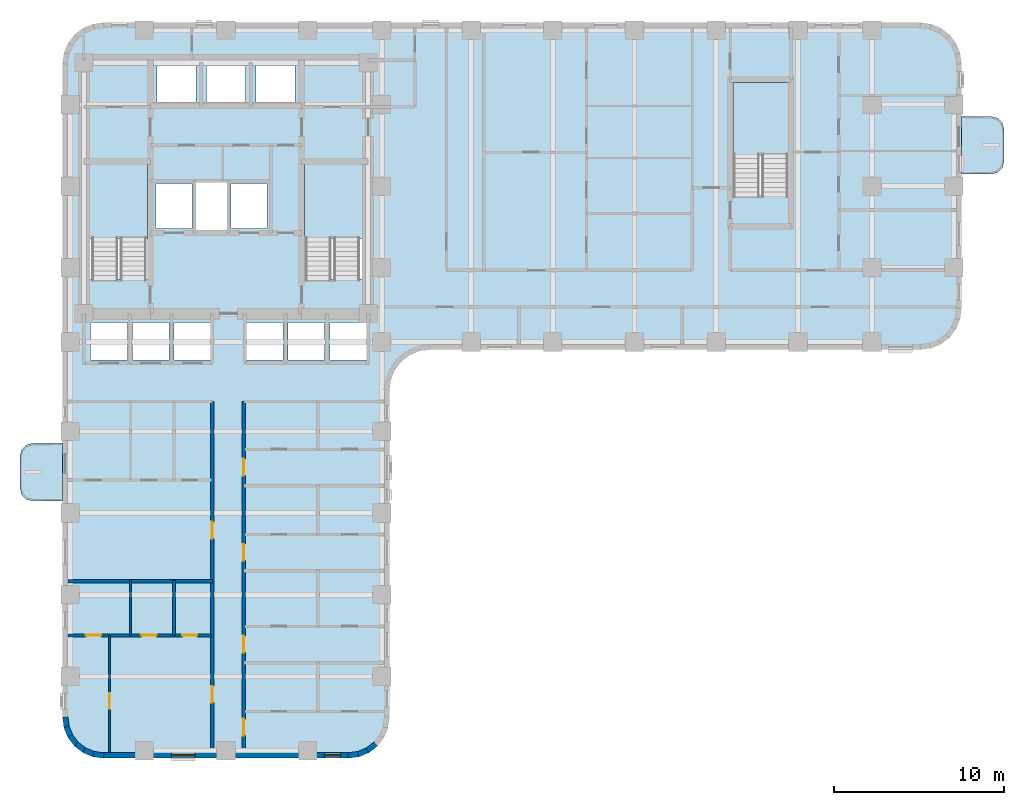
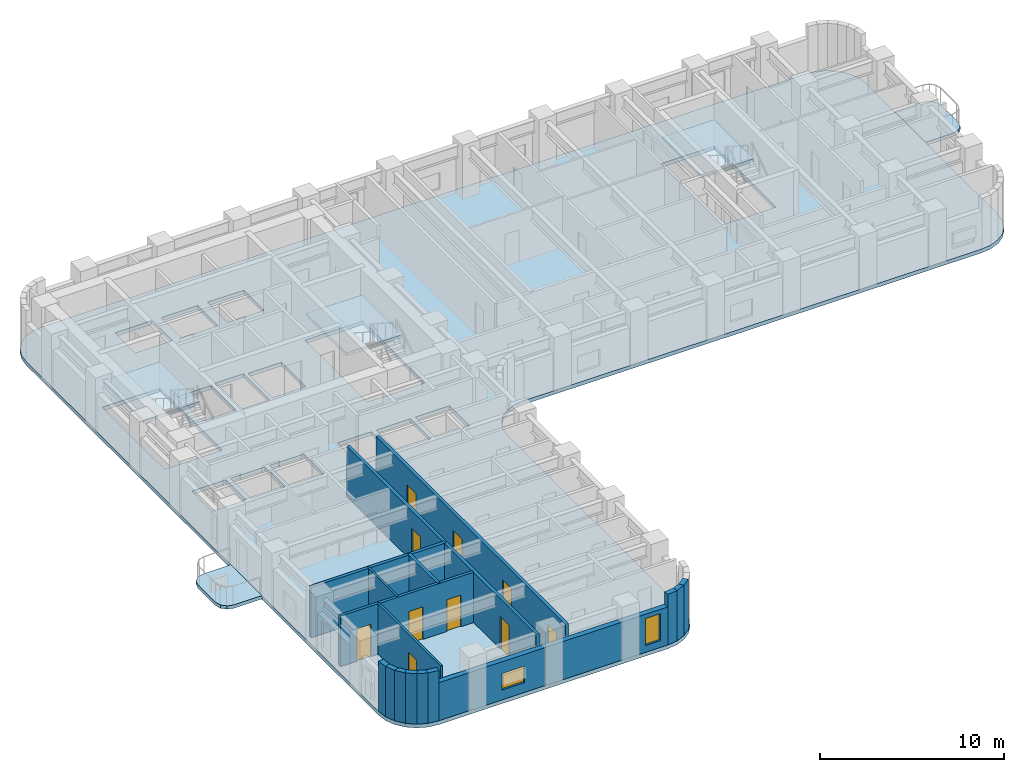
# One storey, part 2 of 11: 17 walls, 10 doors, 6 slabs, 2 windows, 12 openings, 3 elements without a shape of their own.
"""IFC4 building model written with IfcOpenShell, lengths in metres."""

import ifcopenshell
import ifcopenshell.guid

model = None  # the IFC model being written
_history = None  # IfcOwnerHistory: only IFC2X3 demands one
_inside = {}  # id of a spatial element -> (the spatial element, [elements in it])
_under = {}  # id of a project, library or spatial element -> (it, [spatial elements below it])
_declared = {}  # id of a project -> (the project, [libraries it declares])
_typed = {}  # id of a type object -> (the type object, [elements of that type])
_made_of = {}  # id of a material, layer set ... -> (it, [elements and type objects made of it])


def new_model(schema):
    """Start an empty IFC model of exactly this schema.

    Asked for "IFC4X3", IfcOpenShell would pick the latest addendum, in which some entities
    have other attributes; the version numbers below select the first issue.
    IFC2X3 requires an IfcOwnerHistory on every rooted entity: one is made here for all.
    """
    global model, _history
    if schema == "IFC4X3":
        model = ifcopenshell.file(schema_version=(4, 3, 0, 0))
    else:
        model = ifcopenshell.file(schema=schema)
    _inside.clear()
    _under.clear()
    _declared.clear()
    _typed.clear()
    _made_of.clear()
    _history = None
    if model.schema == "IFC2X3":
        org = make("IfcOrganization", Name="unknown")
        user = make(
            "IfcPersonAndOrganization",
            ThePerson=make("IfcPerson", FamilyName="unknown"),
            TheOrganization=org,
        )
        app = make(
            "IfcApplication",
            ApplicationDeveloper=org,
            Version="unknown",
            ApplicationFullName="unknown",
            ApplicationIdentifier="unknown",
        )
        _history = make(
            "IfcOwnerHistory",
            OwningUser=user,
            OwningApplication=app,
            ChangeAction="ADDED",
            CreationDate=0,
        )
    return model


def make(cls, **values):
    """One entity of the class cls with the attributes given. An attribute that is None is left unset."""
    return model.create_entity(
        cls, **{name: value for name, value in values.items() if value is not None}
    )


def rooted(cls, **values):
    """An entity with a GlobalId (a new one), such as an element, a storey or a relation."""
    return make(cls, GlobalId=ifcopenshell.guid.new(), OwnerHistory=_history, **values)


def si_unit(unit_type, name, prefix=None):
    """IfcSIUnit, for example si_unit("LENGTHUNIT", "METRE", prefix="MILLI")."""
    return make("IfcSIUnit", UnitType=unit_type, Prefix=prefix, Name=name)


def assignment(units):
    """IfcUnitAssignment: the units of a project."""
    return None if units is None else make("IfcUnitAssignment", Units=units)


def point(xyz):
    """IfcCartesianPoint."""
    return None if xyz is None else make("IfcCartesianPoint", Coordinates=xyz)


def direction(xyz):
    """IfcDirection."""
    return None if xyz is None else make("IfcDirection", DirectionRatios=xyz)


def frame(location, z_axis=None, x_axis=None):
    """IfcAxis2Placement3D, a coordinate frame: its origin and axes. An axis left out is left unset."""
    return make(
        "IfcAxis2Placement3D",
        Location=point(location),
        Axis=direction(z_axis),
        RefDirection=direction(x_axis),
    )


def frame_2d(location, x_axis=None):
    """IfcAxis2Placement2D, a coordinate frame in the plane: its origin and x axis."""
    return make(
        "IfcAxis2Placement2D", Location=point(location), RefDirection=direction(x_axis)
    )


def origin():
    """The frame at (0, 0, 0) with its axes left unset."""
    return frame((0.0, 0.0, 0.0))


def place(relative_to, where):
    """IfcLocalPlacement: puts the frame where relative to a parent placement (None: the world)."""
    return make(
        "IfcLocalPlacement", PlacementRelTo=relative_to, RelativePlacement=where
    )


def context(
    kind, dimensions, precision=None, world=None, true_north=None, identifier=None
):
    """IfcGeometricRepresentationContext, for example the 3D "Model" context."""
    return make(
        "IfcGeometricRepresentationContext",
        ContextIdentifier=identifier,
        ContextType=kind,
        CoordinateSpaceDimension=dimensions,
        Precision=precision,
        WorldCoordinateSystem=world,
        TrueNorth=true_north,
    )


def subcontext(parent, identifier, kind, view, scale=None):
    """IfcGeometricRepresentationSubContext, for example "Body" below "Model"."""
    return make(
        "IfcGeometricRepresentationSubContext",
        ContextIdentifier=identifier,
        ContextType=kind,
        ParentContext=parent,
        TargetScale=scale,
        TargetView=view,
    )


def project(units=None, contexts=None):
    """IfcProject with its units and contexts."""
    return rooted(
        "IfcProject",
        Name="project",
        RepresentationContexts=contexts,
        UnitsInContext=assignment(units),
    )


def spatial(cls, under=None, at=None, **own):
    """A site, building, storey or space (cls), placed at a placement, below another one or the project."""
    s = rooted(cls, ObjectPlacement=at, **own)
    if under is not None:
        _under.setdefault(under.id(), (under, []))[1].append(s)
    return s


def polyline(points):
    """IfcPolyline through the points."""
    return make("IfcPolyline", Points=[point(p) for p in points])


def profile(cls, at=None, kind="AREA", **sizes):
    """A parametric profile (cls). Its sizes go by their IFC names, for example OverallWidth=200.0."""
    return make(cls, ProfileType=kind, Position=at, **sizes)


def rectangle(**sizes):
    """IfcRectangleProfileDef."""
    return profile("IfcRectangleProfileDef", **sizes)


def outline(outer, holes=None, kind="AREA"):
    """IfcArbitraryClosedProfileDef: a profile drawn as a closed curve; with holes, ...WithVoids."""
    if holes is None:
        return make("IfcArbitraryClosedProfileDef", ProfileType=kind, OuterCurve=outer)
    return make(
        "IfcArbitraryProfileDefWithVoids",
        ProfileType=kind,
        OuterCurve=outer,
        InnerCurves=holes,
    )


def extrude(swept, where, along, depth):
    """IfcExtrudedAreaSolid: the profile swept, set in the frame where, extruded along a direction by depth."""
    return make(
        "IfcExtrudedAreaSolid",
        SweptArea=swept,
        Position=where,
        ExtrudedDirection=direction(along),
        Depth=depth,
    )


def shape(context_of_items, identifier, shape_type, items):
    """IfcShapeRepresentation: the items that make up one representation, for example the "Body"."""
    return make(
        "IfcShapeRepresentation",
        ContextOfItems=context_of_items,
        RepresentationIdentifier=identifier,
        RepresentationType=shape_type,
        Items=items,
    )


def material(Name=None, Category=None):
    """IfcMaterial."""
    return make("IfcMaterial", Name=Name, Category=Category)


def layer(
    of_material, thickness, ventilated=None, Name=None, Category=None, Priority=None
):
    """IfcMaterialLayer: one layer of a wall or slab, of a material (None: an air gap)."""
    return make(
        "IfcMaterialLayer",
        Material=of_material,
        LayerThickness=thickness,
        IsVentilated=ventilated,
        Name=Name,
        Category=Category,
        Priority=Priority,
    )


def layer_set(layers, Name=None):
    """IfcMaterialLayerSet."""
    return make("IfcMaterialLayerSet", MaterialLayers=layers, LayerSetName=Name)


def made_of(thing, what):
    """Note that an element or type object is made of a material, layer set ...; save() writes the relation."""
    if what is not None:
        _made_of.setdefault(what.id(), (what, []))[1].append(thing)
    return thing


def type_object(cls, material=None, **own):
    """A type object (cls), such as IfcWallType, which elements share."""
    return made_of(rooted(cls, **own), material)


def element(
    cls,
    number,
    at=None,
    inside=None,
    cuts=None,
    type_object=None,
    material=None,
    context=None,
    identifier="Body",
    shape_type=None,
    held_by="IfcProductDefinitionShape",
    body=None,
    shapes=None,
    **own,
):
    """One element of the class cls, such as IfcWall. Its Tag is "e" and its number.

    at: its placement. inside: the storey or other place that contains it. cuts: it is an
    opening in that element (IfcRelVoidsElement). A single representation is given by context,
    identifier, shape_type and body (its items); several are given by shapes. held_by: the class
    of the entity that holds the representations. save() writes the other relations.
    """
    e = rooted(cls, Tag="e%d" % number, ObjectPlacement=at, **own)
    if body is not None:
        shapes = [shape(context, identifier, shape_type, body)]
    if shapes is not None:
        e.Representation = make(held_by, Representations=shapes)
    if inside is not None:
        _inside.setdefault(inside.id(), (inside, []))[1].append(e)
    if cuts is not None:
        rooted(
            "IfcRelVoidsElement", RelatingBuildingElement=cuts, RelatedOpeningElement=e
        )
    if type_object is not None:
        _typed.setdefault(type_object.id(), (type_object, []))[1].append(e)
    return made_of(e, material)


def fill(opening, filler):
    """IfcRelFillsElement: the door or window that sits in an opening."""
    return rooted(
        "IfcRelFillsElement",
        RelatingOpeningElement=opening,
        RelatedBuildingElement=filler,
    )


def aggregate(whole, parts):
    """IfcRelAggregates: a whole, such as a stair, and the parts it consists of."""
    return rooted("IfcRelAggregates", RelatingObject=whole, RelatedObjects=parts)


def save(model, path):
    """Write the relations noted so far, then the file.

    IfcRelAggregates (storeys below a building ...), IfcRelContainedInSpatialStructure (elements
    in a storey), IfcRelDefinesByType, IfcRelAssociatesMaterial and IfcRelDeclares: one each for
    every whole, place, type object, material and project.
    """
    for whole, parts in _under.values():
        aggregate(whole, parts)
    for where, things in _inside.values():
        rooted(
            "IfcRelContainedInSpatialStructure",
            RelatedElements=things,
            RelatingStructure=where,
        )
    for kind, things in _typed.values():
        rooted("IfcRelDefinesByType", RelatedObjects=things, RelatingType=kind)
    for what, things in _made_of.values():
        rooted("IfcRelAssociatesMaterial", RelatedObjects=things, RelatingMaterial=what)
    for by, libraries in _declared.values():
        rooted("IfcRelDeclares", RelatingContext=by, RelatedDefinitions=libraries)
    model.write(path)


model = new_model("IFC4")

# Units and contexts
model_context = context("Model", 3, precision=1e-05, world=origin(), true_north=direction((0.0, 1.0)))
body_context = subcontext(model_context, "Body", "Model", "MODEL_VIEW")
ifc_project = project(units=[si_unit("LENGTHUNIT", "METRE"), si_unit("AREAUNIT", "SQUARE_METRE"), si_unit("VOLUMEUNIT", "CUBIC_METRE"), si_unit("PLANEANGLEUNIT", "RADIAN"), si_unit("MASSUNIT", "GRAM", prefix="KILO")], contexts=[model_context])

# Site, building, storey
site_placement = place(None, origin())
site = spatial("IfcSite", under=ifc_project, at=site_placement, CompositionType="ELEMENT")
building_placement = place(site_placement, origin())
building = spatial("IfcBuilding", under=site, at=building_placement, Name="Orvandelia Arch Residences", CompositionType="ELEMENT")
storey_placement = place(building_placement, frame((0.0, 0.0, 64.60009765625)))
storey = spatial("IfcBuildingStorey", under=building, at=storey_placement, Name="L16", CompositionType="ELEMENT", Elevation=64.60009765625)

# Slabs
ifc_material_1 = material(Name="Precast concrete C40/50", Category="concrete")
ifc_layer_1 = layer(ifc_material_1, 0.219970703125, Name="Precast concrete C40/50", Category="concrete")
ifc_layer_set_1 = layer_set([ifc_layer_1], Name="Precast concrete C40/50")
slab_type_1 = type_object("IfcSlabType", Name="SLB-BAL-220", PredefinedType="USERDEFINED", material=ifc_layer_set_1)
slab_1_placement = place(storey_placement, frame((0.0, 0.0, -0.22021484375)))
element("IfcSlab", 1, at=slab_1_placement, inside=storey, type_object=slab_type_1, Name="Tree Balcony Cantilever Slab BAL-L16-W1", ObjectType="BALCONY", PredefinedType="USERDEFINED", context=body_context, shape_type="SweptSolid", body=[
    extrude(outline(polyline([(4.800048828125, 19.89990234375), (4.800048828125, 23.300048828125), (3.050048828125, 23.300048828125), (2.675048828125, 23.199462890625), (2.400390625, 22.925048828125), (2.300048828125, 22.550048828125), (2.300048828125, 20.64990234375), (2.400390625, 20.27490234375), (2.675048828125, 20.00048828125), (3.050048828125, 19.89990234375), (4.800048828125, 19.89990234375)])), origin(), (0.0, 0.0, 1.0), 0.22021484375),
])
slab_2_placement = place(storey_placement, frame((0.0, 0.0, -0.22021484375)))
element("IfcSlab", 2, at=slab_2_placement, inside=storey, type_object=slab_type_1, Name="Tree Balcony Cantilever Slab BAL-L16-E1", ObjectType="BALCONY", PredefinedType="USERDEFINED", context=body_context, shape_type="SweptSolid", body=[
    extrude(outline(polyline([(57.60009765625, 42.5), (57.60009765625, 39.10009765625), (59.35009765625, 39.10009765625), (59.72509765625, 39.200439453125), (59.99951171875, 39.47509765625), (60.10009765625, 39.85009765625), (60.10009765625, 41.75), (59.99951171875, 42.125), (59.72509765625, 42.3994140625), (59.35009765625, 42.5), (57.60009765625, 42.5)])), origin(), (0.0, 0.0, 1.0), 0.22021484375),
])

# Stair, slab
ifc_material_2 = material(Name="Concrete C40/50", Category="concrete")
stair_type = type_object("IfcStairType", Name="STAIR-RC-DOGLEG", PredefinedType="HALF_TURN_STAIR", material=ifc_material_2)
stair_1_placement = place(storey_placement, origin())
stair_1 = element("IfcStair", 3, at=stair_1_placement, inside=storey, type_object=stair_type, Name="L16 Protected Exit Stair ST-1", PredefinedType="HALF_TURN_STAIR")
ifc_layer_2 = layer(ifc_material_2, 0.219970703125, Name="Concrete C40/50", Category="concrete")
ifc_layer_set_2 = layer_set([ifc_layer_2], Name="Concrete C40/50")
slab_type_2 = type_object("IfcSlabType", Name="SLB-LANDING-220", PredefinedType="LANDING", material=ifc_layer_set_2)
slab_3_placement = place(storey_placement, frame((0.0, 0.0, 1.599853515625)))
slab_3 = element("IfcSlab", 4, at=slab_3_placement, type_object=slab_type_2, Name="ST-1 landing 1", PredefinedType="LANDING", context=body_context, shape_type="SweptSolid", body=[
    extrude(outline(polyline([(9.800048828125, 35.31005859375), (9.800048828125, 39.68994140625), (6.260009765625, 39.68994140625), (6.260009765625, 35.31005859375), (9.800048828125, 35.31005859375)])), origin(), (0.0, 0.0, 1.0), 0.199951171875),
])
aggregate(stair_1, [slab_3])

stair_2_placement = place(storey_placement, origin())
stair_2 = element("IfcStair", 5, at=stair_2_placement, inside=storey, type_object=stair_type, Name="L16 Protected Exit Stair ST-2", PredefinedType="HALF_TURN_STAIR")
slab_4_placement = place(storey_placement, frame((0.0, 0.0, 1.599853515625)))
slab_4 = element("IfcSlab", 6, at=slab_4_placement, type_object=slab_type_2, Name="ST-2 landing 1", PredefinedType="LANDING", context=body_context, shape_type="SweptSolid", body=[
    extrude(outline(polyline([(22.5400390625, 35.31005859375), (22.5400390625, 39.68994140625), (19.0, 39.68994140625), (19.0, 35.31005859375), (22.5400390625, 35.31005859375)])), origin(), (0.0, 0.0, 1.0), 0.199951171875),
])
aggregate(stair_2, [slab_4])

stair_3_placement = place(storey_placement, origin())
stair_3 = element("IfcStair", 7, at=stair_3_placement, inside=storey, type_object=stair_type, Name="L16 East Wing Exit Stair ST-3", PredefinedType="HALF_TURN_STAIR")
slab_5_placement = place(storey_placement, frame((0.0, 0.0, 1.599853515625)))
slab_5 = element("IfcSlab", 8, at=slab_5_placement, type_object=slab_type_2, Name="ST-3 landing 1", PredefinedType="LANDING", context=body_context, shape_type="SweptSolid", body=[
    extrude(outline(polyline([(47.43994140625, 40.2099609375), (47.43994140625, 44.5), (44.179931640625, 44.5), (44.179931640625, 40.2099609375), (47.43994140625, 40.2099609375)])), origin(), (0.0, 0.0, 1.0), 0.199951171875),
])
aggregate(stair_3, [slab_5])

# Slab
ifc_layer_3 = layer(ifc_material_2, 0.25, Name="Concrete C40/50", Category="concrete")
ifc_layer_set_3 = layer_set([ifc_layer_3], Name="Concrete C40/50")
slab_type_3 = type_object("IfcSlabType", Name="SLB-TWR-250", PredefinedType="FLOOR", material=ifc_layer_set_3)
slab_6_placement = place(storey_placement, frame((0.0, 0.0, -0.25)))
element("IfcSlab", 9, at=slab_6_placement, inside=storey, type_object=slab_type_3, Name="Structural Floor Slab L16-1", PredefinedType="FLOOR", context=body_context, shape_type="SweptSolid", body=[
    extrude(outline(polyline([(4.800048828125, 7.199951171875), (4.8818359375, 6.578857421875), (5.12158203125, 6.0), (5.5029296875, 5.5029296875), (6.0, 5.12158203125), (6.578857421875, 4.8818359375), (7.199951171875, 4.800048828125), (21.60009765625, 4.800048828125), (22.22119140625, 4.8818359375), (22.800048828125, 5.12158203125), (23.297119140625, 5.5029296875), (23.678466796875, 6.0), (23.918212890625, 6.578857421875), (24.0, 7.199951171875), (24.0, 26.39990234375), (24.081787109375, 27.021240234375), (24.321533203125, 27.60009765625), (24.702880859375, 28.09716796875), (25.199951171875, 28.478515625), (25.77880859375, 28.71826171875), (26.39990234375, 28.800048828125), (55.199951171875, 28.800048828125), (55.8212890625, 28.8818359375), (56.39990234375, 29.12158203125), (56.897216796875, 29.5029296875), (57.278564453125, 30.0), (57.518310546875, 30.578857421875), (57.60009765625, 31.199951171875), (57.60009765625, 45.60009765625), (57.518310546875, 46.22119140625), (57.278564453125, 46.800048828125), (56.897216796875, 47.297119140625), (56.39990234375, 47.678466796875), (55.8212890625, 47.918212890625), (55.199951171875, 48.0), (7.199951171875, 48.0), (6.578857421875, 47.918212890625), (6.0, 47.678466796875), (5.5029296875, 47.297119140625), (5.12158203125, 46.800048828125), (4.8818359375, 46.22119140625), (4.800048828125, 45.60009765625), (4.800048828125, 7.199951171875)]), holes=[polyline([(6.219970703125, 32.949951171875), (9.840087890625, 32.949951171875), (9.840087890625, 39.72998046875), (6.219970703125, 39.72998046875), (6.219970703125, 32.949951171875)]), polyline([(18.9599609375, 32.949951171875), (22.580078125, 32.949951171875), (22.580078125, 39.72998046875), (18.9599609375, 39.72998046875), (18.9599609375, 32.949951171875)]), polyline([(44.139892578125, 37.85009765625), (47.47998046875, 37.85009765625), (47.47998046875, 44.5400390625), (44.139892578125, 44.5400390625), (44.139892578125, 37.85009765625)]), polyline([(12.639892578125, 35.81005859375), (14.4599609375, 35.81005859375), (14.4599609375, 38.639892578125), (12.639892578125, 38.639892578125), (12.639892578125, 35.81005859375)]), polyline([(10.300048828125, 35.89990234375), (12.39990234375, 35.89990234375), (12.39990234375, 38.550048828125), (10.300048828125, 38.550048828125), (10.300048828125, 35.89990234375)]), polyline([(14.699951171875, 35.89990234375), (16.800048828125, 35.89990234375), (16.800048828125, 38.550048828125), (14.699951171875, 38.550048828125), (14.699951171875, 35.89990234375)]), polyline([(10.35009765625, 43.300048828125), (12.64990234375, 43.300048828125), (12.64990234375, 45.5), (10.35009765625, 45.5), (10.35009765625, 43.300048828125)]), polyline([(13.25, 43.300048828125), (15.550048828125, 43.300048828125), (15.550048828125, 45.5), (13.25, 45.5), (13.25, 43.300048828125)]), polyline([(16.14990234375, 43.300048828125), (18.449951171875, 43.300048828125), (18.449951171875, 45.5), (16.14990234375, 45.5), (16.14990234375, 43.300048828125)]), polyline([(6.449951171875, 28.199951171875), (8.60009765625, 28.199951171875), (8.60009765625, 30.39990234375), (6.449951171875, 30.39990234375), (6.449951171875, 28.199951171875)]), polyline([(8.89990234375, 28.199951171875), (11.050048828125, 28.199951171875), (11.050048828125, 30.39990234375), (8.89990234375, 30.39990234375), (8.89990234375, 28.199951171875)]), polyline([(11.35009765625, 28.199951171875), (13.5, 28.199951171875), (13.5, 30.39990234375), (11.35009765625, 30.39990234375), (11.35009765625, 28.199951171875)]), polyline([(15.60009765625, 28.199951171875), (17.75, 28.199951171875), (17.75, 30.39990234375), (15.60009765625, 30.39990234375), (15.60009765625, 28.199951171875)]), polyline([(18.050048828125, 28.199951171875), (20.199951171875, 28.199951171875), (20.199951171875, 30.39990234375), (18.050048828125, 30.39990234375), (18.050048828125, 28.199951171875)]), polyline([(20.5, 28.199951171875), (22.64990234375, 28.199951171875), (22.64990234375, 30.39990234375), (20.5, 30.39990234375), (20.5, 28.199951171875)])]), origin(), (0.0, 0.0, 1.0), 0.25),
])

# Wall, openings, doors
ifc_material_3 = material(Name="Fire-Rated Corridor Partition")
ifc_layer_4 = layer(ifc_material_3, 0.199951171875, Name="Fire-Rated Corridor Partition")
ifc_layer_set_4 = layer_set([ifc_layer_4], Name="Fire-Rated Corridor Partition")
wall_type_1 = type_object("IfcWallType", Name="WL-CORR-200", PredefinedType="PARTITIONING", material=ifc_layer_set_4)
wall_1_placement = place(storey_placement, frame((13.60009765625, 5.1201171875, 0.0), z_axis=(0.0, 0.0, 1.0), x_axis=(0.0, 1.0, 0.0)))
wall_1 = element("IfcWall", 10, at=wall_1_placement, inside=storey, type_object=wall_type_1, Name="Interior Partition Wall WL-L16-WC-W", PredefinedType="PARTITIONING", context=body_context, shape_type="SweptSolid", body=[
    extrude(rectangle(XDim=20.6298828125, YDim=0.199951171875, at=frame_2d((10.31494140625, 0.0))), origin(), (0.0, 0.0, 1.0), 3.349853515625),
])
opening_1_placement = place(wall_1_placement, frame((2.93896484375, 0.0, 0.0)))
opening_1 = element("IfcOpeningElement", 11, at=opening_1_placement, cuts=wall_1, Name="Opening D1", PredefinedType="OPENING", context=body_context, shape_type="SweptSolid", body=[
    extrude(rectangle(XDim=0.97998046875, YDim=2.179931640625, at=frame_2d((0.489990234375, 1.08984375))), frame((0.0, 0.10986328125, 0.0), z_axis=(0.0, -1.0, 0.0), x_axis=(1.0, 0.0, 0.0)), (0.0, 0.0, 1.0), 0.219970703125),
])
opening_2_placement = place(wall_1_placement, frame((12.575927734375, 0.0, 0.0)))
opening_2 = element("IfcOpeningElement", 12, at=opening_2_placement, cuts=wall_1, Name="Opening D1", PredefinedType="OPENING", context=body_context, shape_type="SweptSolid", body=[
    extrude(rectangle(XDim=0.97998046875, YDim=2.179931640625, at=frame_2d((0.489990234375, 1.08984375))), frame((0.0, 0.10986328125, 0.0), z_axis=(0.0, -1.0, 0.0), x_axis=(1.0, 0.0, 0.0)), (0.0, 0.0, 1.0), 0.219970703125),
])
ifc_material_4 = material(Name="Solid-Core Timber Acoustic Fire Door", Category="wood")
door_type_1 = type_object("IfcDoorType", Name="DR-ENT-980", OperationType="NOTDEFINED", PredefinedType="DOOR", material=ifc_material_4)
door_1_placement = place(opening_1_placement, origin())
door_1 = element("IfcDoor", 13, at=door_1_placement, inside=storey, type_object=door_type_1, Name="Unit L16-01 Entrance Door", OperationType="SINGLE_SWING_LEFT", OverallHeight=2.179931640625, OverallWidth=0.97998046875, PredefinedType="DOOR", context=body_context, shape_type="SweptSolid", body=[
    extrude(rectangle(XDim=0.97998046875, YDim=2.179931640625, at=frame_2d((0.489990234375, 1.08984375))), frame((0.0, 0.02490234375, 0.0), z_axis=(0.0, -1.0, 0.0), x_axis=(1.0, 0.0, 0.0)), (0.0, 0.0, 1.0), 0.050048828125),
])
fill(opening_1, door_1)
door_2_placement = place(opening_2_placement, origin())
door_2 = element("IfcDoor", 14, at=door_2_placement, inside=storey, type_object=door_type_1, Name="Unit L16-02 Entrance Door", OperationType="SINGLE_SWING_RIGHT", OverallHeight=2.179931640625, OverallWidth=0.97998046875, PredefinedType="DOOR", context=body_context, shape_type="SweptSolid", body=[
    extrude(rectangle(XDim=0.97998046875, YDim=2.179931640625, at=frame_2d((0.489990234375, 1.08984375))), frame((0.0, 0.02490234375, 0.0), z_axis=(0.0, -1.0, 0.0), x_axis=(1.0, 0.0, 0.0)), (0.0, 0.0, 1.0), 0.050048828125),
])
fill(opening_2, door_2)

wall_2_placement = place(storey_placement, frame((15.449951171875, 5.1201171875, 0.0), z_axis=(0.0, 0.0, 1.0), x_axis=(0.0, 1.0, 0.0)))
wall_2 = element("IfcWall", 15, at=wall_2_placement, inside=storey, type_object=wall_type_1, Name="Interior Partition Wall WL-L16-WC-E", PredefinedType="PARTITIONING", context=body_context, shape_type="SweptSolid", body=[
    extrude(rectangle(XDim=20.6298828125, YDim=0.199951171875, at=frame_2d((10.31494140625, 0.0))), origin(), (0.0, 0.0, 1.0), 3.349853515625),
])
opening_3_placement = place(wall_2_placement, frame((1.0009765625, 0.0, 0.0)))
opening_3 = element("IfcOpeningElement", 16, at=opening_3_placement, cuts=wall_2, Name="Opening D1", PredefinedType="OPENING", context=body_context, shape_type="SweptSolid", body=[
    extrude(rectangle(XDim=0.97998046875, YDim=2.179931640625, at=frame_2d((0.489990234375, 1.08984375))), frame((0.0, 0.10986328125, 0.0), z_axis=(0.0, -1.0, 0.0), x_axis=(1.0, 0.0, 0.0)), (0.0, 0.0, 1.0), 0.219970703125),
])
opening_4_placement = place(wall_2_placement, frame((5.8798828125, 0.0, 0.0)))
opening_4 = element("IfcOpeningElement", 17, at=opening_4_placement, cuts=wall_2, Name="Opening D1", PredefinedType="OPENING", context=body_context, shape_type="SweptSolid", body=[
    extrude(rectangle(XDim=0.97998046875, YDim=2.179931640625, at=frame_2d((0.489990234375, 1.08984375))), frame((0.0, 0.10986328125, 0.0), z_axis=(0.0, -1.0, 0.0), x_axis=(1.0, 0.0, 0.0)), (0.0, 0.0, 1.0), 0.219970703125),
])
opening_5_placement = place(wall_2_placement, frame((11.280029296875, 0.0, 0.0)))
opening_5 = element("IfcOpeningElement", 18, at=opening_5_placement, cuts=wall_2, Name="Opening D1", PredefinedType="OPENING", context=body_context, shape_type="SweptSolid", body=[
    extrude(rectangle(XDim=0.97998046875, YDim=2.179931640625, at=frame_2d((0.489990234375, 1.08984375))), frame((0.0, 0.10986328125, 0.0), z_axis=(0.0, -1.0, 0.0), x_axis=(1.0, 0.0, 0.0)), (0.0, 0.0, 1.0), 0.219970703125),
])
opening_6_placement = place(wall_2_placement, frame((16.280029296875, 0.0, 0.0)))
opening_6 = element("IfcOpeningElement", 19, at=opening_6_placement, cuts=wall_2, Name="Opening D1", PredefinedType="OPENING", context=body_context, shape_type="SweptSolid", body=[
    extrude(rectangle(XDim=0.97998046875, YDim=2.179931640625, at=frame_2d((0.489990234375, 1.08984375))), frame((0.0, 0.10986328125, 0.0), z_axis=(0.0, -1.0, 0.0), x_axis=(1.0, 0.0, 0.0)), (0.0, 0.0, 1.0), 0.219970703125),
])
door_3_placement = place(opening_3_placement, origin())
door_3 = element("IfcDoor", 20, at=door_3_placement, inside=storey, type_object=door_type_1, Name="Unit L16-03 Entrance Door", OperationType="SINGLE_SWING_LEFT", OverallHeight=2.179931640625, OverallWidth=0.97998046875, PredefinedType="DOOR", context=body_context, shape_type="SweptSolid", body=[
    extrude(rectangle(XDim=0.97998046875, YDim=2.179931640625, at=frame_2d((0.489990234375, 1.08984375))), frame((0.0, 0.02490234375, 0.0), z_axis=(0.0, -1.0, 0.0), x_axis=(1.0, 0.0, 0.0)), (0.0, 0.0, 1.0), 0.050048828125),
])
fill(opening_3, door_3)
door_4_placement = place(opening_4_placement, origin())
door_4 = element("IfcDoor", 21, at=door_4_placement, inside=storey, type_object=door_type_1, Name="Unit L16-04 Entrance Door", OperationType="SINGLE_SWING_RIGHT", OverallHeight=2.179931640625, OverallWidth=0.97998046875, PredefinedType="DOOR", context=body_context, shape_type="SweptSolid", body=[
    extrude(rectangle(XDim=0.97998046875, YDim=2.179931640625, at=frame_2d((0.489990234375, 1.08984375))), frame((0.0, 0.02490234375, 0.0), z_axis=(0.0, -1.0, 0.0), x_axis=(1.0, 0.0, 0.0)), (0.0, 0.0, 1.0), 0.050048828125),
])
fill(opening_4, door_4)
door_5_placement = place(opening_5_placement, origin())
door_5 = element("IfcDoor", 22, at=door_5_placement, inside=storey, type_object=door_type_1, Name="Unit L16-05 Entrance Door", OperationType="SINGLE_SWING_LEFT", OverallHeight=2.179931640625, OverallWidth=0.97998046875, PredefinedType="DOOR", context=body_context, shape_type="SweptSolid", body=[
    extrude(rectangle(XDim=0.97998046875, YDim=2.179931640625, at=frame_2d((0.489990234375, 1.08984375))), frame((0.0, 0.02490234375, 0.0), z_axis=(0.0, -1.0, 0.0), x_axis=(1.0, 0.0, 0.0)), (0.0, 0.0, 1.0), 0.050048828125),
])
fill(opening_5, door_5)
door_6_placement = place(opening_6_placement, origin())
door_6 = element("IfcDoor", 23, at=door_6_placement, inside=storey, type_object=door_type_1, Name="Unit L16-06 Entrance Door", OperationType="SINGLE_SWING_RIGHT", OverallHeight=2.179931640625, OverallWidth=0.97998046875, PredefinedType="DOOR", context=body_context, shape_type="SweptSolid", body=[
    extrude(rectangle(XDim=0.97998046875, YDim=2.179931640625, at=frame_2d((0.489990234375, 1.08984375))), frame((0.0, 0.02490234375, 0.0), z_axis=(0.0, -1.0, 0.0), x_axis=(1.0, 0.0, 0.0)), (0.0, 0.0, 1.0), 0.050048828125),
])
fill(opening_6, door_6)

# Walls
ifc_layer_5 = layer(ifc_material_2, 0.199951171875, Name="Concrete C40/50", Category="concrete")
ifc_layer_set_5 = layer_set([ifc_layer_5], Name="Concrete C40/50")
wall_type_2 = type_object("IfcWallType", Name="WL-DEM-200", PredefinedType="SOLIDWALL", material=ifc_layer_set_5)
wall_3_placement = place(storey_placement, frame((5.1201171875, 15.199951171875, 0.0), z_axis=(0.0, 0.0, 1.0), x_axis=(1.0, 0.0, 0.0)))
element("IfcWall", 24, at=wall_3_placement, inside=storey, type_object=wall_type_2, Name="Interior Partition Wall WL-L16-DEM-WL-152", PredefinedType="SOLIDWALL", context=body_context, shape_type="SweptSolid", body=[
    extrude(rectangle(XDim=8.47998046875, YDim=0.199951171875, at=frame_2d((4.239990234375, 0.0))), origin(), (0.0, 0.0, 1.0), 3.349853515625),
])
ifc_layer_6 = layer(ifc_material_1, 0.320068359375, Name="Precast concrete C40/50", Category="concrete")
ifc_layer_set_6 = layer_set([ifc_layer_6], Name="Precast concrete C40/50")
wall_type_3 = type_object("IfcWallType", Name="WL-EXT-STONE-320", PredefinedType="STANDARD", material=ifc_layer_set_6)
wall_4_placement = place(storey_placement, frame((23.19970703125, 5.6298828125, 0.0), z_axis=(0.0, 0.0, 1.0), x_axis=(-0.7932174212, -0.608938521285, 0.0)))
element("IfcWall", 25, at=wall_4_placement, inside=storey, type_object=wall_type_3, Name="Coral-Limestone Precast Facade Wall L16-032", PredefinedType="STANDARD", context=body_context, shape_type="SweptSolid", body=[
    extrude(rectangle(XDim=0.626708984375, YDim=0.320068359375, at=frame_2d((0.3134765625, 0.0))), origin(), (0.0, 0.0, 1.0), 3.349853515625),
])
for number, where, z_axis, x_axis, name in (
    (26, (22.73876953125, 5.269287109375, 0.0), (0.0, 0.0, 1.0), (-0.92389335771, -0.382650053678, 0.0), "Coral-Limestone Precast Facade Wall L16-033"),
    (27, (22.2001953125, 5.040283203125, 0.0), (0.0, 0.0, 1.0), (-0.9914410257, -0.130555323746, 0.0), "Coral-Limestone Precast Facade Wall L16-034"),
):
    element("IfcWall", number, at=place(storey_placement, frame(where, z_axis=z_axis, x_axis=x_axis)), inside=storey, type_object=wall_type_3, Name=name, PredefinedType="STANDARD", context=body_context, shape_type="SweptSolid", body=[
        extrude(rectangle(XDim=0.62646484375, YDim=0.320068359375, at=frame_2d((0.313232421875, 0.0))), origin(), (0.0, 0.0, 1.0), 3.349853515625),
    ])

# Wall, openings, windows
wall_5_placement = place(storey_placement, frame((21.60009765625, 4.9599609375, 0.0), z_axis=(0.0, 0.0, 1.0), x_axis=(-1.0, 0.0, 0.0)))
wall_5 = element("IfcWall", 28, at=wall_5_placement, inside=storey, type_object=wall_type_3, Name="Coral-Limestone Precast Facade Wall L16-035", PredefinedType="STANDARD", context=body_context, shape_type="SweptSolid", body=[
    extrude(rectangle(XDim=14.400146484375, YDim=0.320068359375, at=frame_2d((7.2001953125, 0.0))), origin(), (0.0, 0.0, 1.0), 2.52978515625),
])
opening_7_placement = place(wall_5_placement, frame((0.469970703125, 0.0, 0.449951171875)))
opening_7 = element("IfcOpeningElement", 29, at=opening_7_placement, cuts=wall_5, Name="Opening W4", PredefinedType="OPENING", context=body_context, shape_type="SweptSolid", body=[
    extrude(rectangle(XDim=0.949951171875, YDim=1.800048828125, at=frame_2d((0.47509765625, 0.89990234375))), frame((0.0, 0.169921875, 0.0), z_axis=(0.0, -1.0, 0.0), x_axis=(1.0, 0.0, 0.0)), (0.0, 0.0, 1.0), 0.340087890625),
])
opening_8_placement = place(wall_5_placement, frame((9.014892578125, 0.0, 0.64990234375)))
opening_8 = element("IfcOpeningElement", 30, at=opening_8_placement, cuts=wall_5, Name="Opening W10", PredefinedType="OPENING", context=body_context, shape_type="SweptSolid", body=[
    extrude(rectangle(XDim=1.39990234375, YDim=1.10009765625, at=frame_2d((0.699951171875, 0.550048828125))), frame((0.0, 0.169921875, 0.0), z_axis=(0.0, -1.0, 0.0), x_axis=(1.0, 0.0, 0.0)), (0.0, 0.0, 1.0), 0.340087890625),
])
ifc_material_5 = material(Name="Tempered Low-E Insulated Glazing", Category="glass")
window_type_1 = type_object("IfcWindowType", Name="WIN-CLR-1400x1100", PartitioningType="SINGLE_PANEL", PredefinedType="WINDOW", material=ifc_material_5)
window_1_placement = place(opening_8_placement, origin())
window_1 = element("IfcWindow", 31, at=window_1_placement, inside=storey, type_object=window_type_1, Name="Recessed Punched Window L16-024", OverallHeight=1.10009765625, OverallWidth=1.39990234375, PartitioningType="SINGLE_PANEL", PredefinedType="WINDOW", context=body_context, shape_type="SweptSolid", body=[
    extrude(rectangle(XDim=1.39990234375, YDim=1.10009765625, at=frame_2d((0.699951171875, 0.550048828125))), frame((0.0, 0.030029296875, 0.0), z_axis=(0.0, -1.0, 0.0), x_axis=(1.0, 0.0, 0.0)), (0.0, 0.0, 1.0), 0.06005859375),
])
fill(opening_8, window_1)
window_type_2 = type_object("IfcWindowType", Name="WIN-RES-0950x1800", PartitioningType="SINGLE_PANEL", PredefinedType="WINDOW", material=ifc_material_5)
window_2_placement = place(opening_7_placement, origin())
window_2 = element("IfcWindow", 32, at=window_2_placement, inside=storey, type_object=window_type_2, Name="Recessed Punched Window L16-023", OverallHeight=1.800048828125, OverallWidth=0.949951171875, PartitioningType="SINGLE_PANEL", PredefinedType="WINDOW", context=body_context, shape_type="SweptSolid", body=[
    extrude(rectangle(XDim=0.949951171875, YDim=1.800048828125, at=frame_2d((0.47509765625, 0.89990234375))), frame((0.0, 0.030029296875, 0.0), z_axis=(0.0, -1.0, 0.0), x_axis=(1.0, 0.0, 0.0)), (0.0, 0.0, 1.0), 0.06005859375),
])
fill(opening_7, window_2)

# Walls
wall_6_placement = place(storey_placement, frame((7.220947265625, 4.95849609375, 0.0), z_axis=(0.0, 0.0, 1.0), x_axis=(-0.991447664465, 0.130504898859, 0.0)))
element("IfcWall", 33, at=wall_6_placement, inside=storey, type_object=wall_type_3, Name="Coral-Limestone Precast Facade Wall L16-036", PredefinedType="STANDARD", context=body_context, shape_type="SweptSolid", body=[
    extrude(rectangle(XDim=0.626708984375, YDim=0.320068359375, at=frame_2d((0.3134765625, 0.0))), origin(), (0.0, 0.0, 1.0), 3.349853515625),
])
wall_7_placement = place(storey_placement, frame((6.639892578125, 5.029541015625, 0.0), z_axis=(0.0, 0.0, 1.0), x_axis=(-0.923836271867, 0.382787856107, 0.0)))
element("IfcWall", 34, at=wall_7_placement, inside=storey, type_object=wall_type_3, Name="Coral-Limestone Precast Facade Wall L16-037", PredefinedType="STANDARD", context=body_context, shape_type="SweptSolid", body=[
    extrude(rectangle(XDim=0.626220703125, YDim=0.320068359375, at=frame_2d((0.31298828125, 0.0))), origin(), (0.0, 0.0, 1.0), 3.349853515625),
])
for number, where, z_axis, x_axis, name in (
    (35, (6.097412109375, 5.248291015625, 0.0), (0.0, 0.0, 1.0), (-0.7932174212, 0.608938521285, 0.0), "Coral-Limestone Precast Facade Wall L16-038"),
    (36, (5.6298828125, 5.600341796875, 0.0), (0.0, 0.0, 1.0), (-0.608938521285, 0.7932174212, 0.0), "Coral-Limestone Precast Facade Wall L16-039"),
):
    element("IfcWall", number, at=place(storey_placement, frame(where, z_axis=z_axis, x_axis=x_axis)), inside=storey, type_object=wall_type_3, Name=name, PredefinedType="STANDARD", context=body_context, shape_type="SweptSolid", body=[
        extrude(rectangle(XDim=0.626708984375, YDim=0.320068359375, at=frame_2d((0.3134765625, 0.0))), origin(), (0.0, 0.0, 1.0), 3.349853515625),
    ])
wall_8_placement = place(storey_placement, frame((5.269287109375, 6.061279296875, 0.0), z_axis=(0.0, 0.0, 1.0), x_axis=(-0.382787856107, 0.923836271867, 0.0)))
element("IfcWall", 37, at=wall_8_placement, inside=storey, type_object=wall_type_3, Name="Coral-Limestone Precast Facade Wall L16-040", PredefinedType="STANDARD", context=body_context, shape_type="SweptSolid", body=[
    extrude(rectangle(XDim=0.626220703125, YDim=0.320068359375, at=frame_2d((0.31298828125, 0.0))), origin(), (0.0, 0.0, 1.0), 3.349853515625),
])
wall_9_placement = place(storey_placement, frame((5.040283203125, 6.599609375, 0.0), z_axis=(0.0, 0.0, 1.0), x_axis=(-0.130504898859, 0.991447664465, 0.0)))
element("IfcWall", 38, at=wall_9_placement, inside=storey, type_object=wall_type_3, Name="Coral-Limestone Precast Facade Wall L16-041", PredefinedType="STANDARD", context=body_context, shape_type="SweptSolid", body=[
    extrude(rectangle(XDim=0.626708984375, YDim=0.320068359375, at=frame_2d((0.3134765625, 0.0))), origin(), (0.0, 0.0, 1.0), 3.349853515625),
])
ifc_material_6 = material(Name="Lightweight Gypsum Stud Partition")
ifc_layer_7 = layer(ifc_material_6, 0.1201171875, Name="Lightweight Gypsum Stud Partition")
ifc_layer_set_7 = layer_set([ifc_layer_7], Name="Lightweight Gypsum Stud Partition")
wall_type_4 = type_object("IfcWallType", Name="WL-PART-120", PredefinedType="PARTITIONING", material=ifc_layer_set_7)
wall_10_placement = place(storey_placement, frame((8.791015625, 12.01806640625, 0.0), z_axis=(0.0, 0.0, 1.0), x_axis=(0.0, 1.0, 0.0)))
element("IfcWall", 39, at=wall_10_placement, inside=storey, type_object=wall_type_4, Name="Interior Partition Wall WL-L16-U01-V1", PredefinedType="PARTITIONING", context=body_context, shape_type="SweptSolid", body=[
    extrude(rectangle(XDim=3.221923828125, YDim=0.1201171875, at=frame_2d((1.61083984375, 0.0))), origin(), (0.0, 0.0, 1.0), 3.349853515625),
])

# Wall, opening, door
ifc_material_7 = material(Name="Double-Layer Acoustic Gypsum Partition")
ifc_layer_8 = layer(ifc_material_7, 0.135009765625, Name="Double-Layer Acoustic Gypsum Partition")
ifc_layer_set_8 = layer_set([ifc_layer_8], Name="Double-Layer Acoustic Gypsum Partition")
wall_type_5 = type_object("IfcWallType", Name="WL-PART-135", PredefinedType="PARTITIONING", material=ifc_layer_set_8)
wall_11_placement = place(storey_placement, frame((7.55908203125, 5.1201171875, 0.0), z_axis=(0.0, 0.0, 1.0), x_axis=(0.0, 1.0, 0.0)))
wall_11 = element("IfcWall", 40, at=wall_11_placement, inside=storey, type_object=wall_type_5, Name="Interior Partition Wall WL-L16-U01-DIN", PredefinedType="PARTITIONING", context=body_context, shape_type="SweptSolid", body=[
    extrude(rectangle(XDim=6.89794921875, YDim=0.135009765625, at=frame_2d((3.448974609375, 0.0))), origin(), (0.0, 0.0, 1.0), 3.349853515625),
])
opening_9_placement = place(wall_11_placement, frame((2.59716796875, 0.0, 0.0)))
opening_9 = element("IfcOpeningElement", 41, at=opening_9_placement, cuts=wall_11, Name="Opening D3", PredefinedType="OPENING", context=body_context, shape_type="SweptSolid", body=[
    extrude(rectangle(XDim=0.89990234375, YDim=2.14990234375, at=frame_2d((0.449951171875, 1.074951171875))), frame((0.0, 0.07763671875, 0.0), z_axis=(0.0, -1.0, 0.0), x_axis=(1.0, 0.0, 0.0)), (0.0, 0.0, 1.0), 0.155029296875),
])
ifc_material_8 = material(Name="Engineered Timber Flush Door", Category="wood")
door_type_2 = type_object("IfcDoorType", Name="DR-INT-900", OperationType="NOTDEFINED", PredefinedType="DOOR", material=ifc_material_8)
door_7_placement = place(opening_9_placement, origin())
door_7 = element("IfcDoor", 42, at=door_7_placement, inside=storey, type_object=door_type_2, Name="DR-L16-U01-DIN", OperationType="SINGLE_SWING_RIGHT", OverallHeight=2.14990234375, OverallWidth=0.89990234375, PredefinedType="DOOR", context=body_context, shape_type="SweptSolid", body=[
    extrude(rectangle(XDim=0.89990234375, YDim=2.14990234375, at=frame_2d((0.449951171875, 1.074951171875))), frame((0.0, 0.02490234375, 0.0), z_axis=(0.0, -1.0, 0.0), x_axis=(1.0, 0.0, 0.0)), (0.0, 0.0, 1.0), 0.050048828125),
])
fill(opening_9, door_7)

# Wall, openings, doors
ifc_material_9 = material(Name="Moisture-Resistant Plumbing Wall")
ifc_layer_9 = layer(ifc_material_9, 0.179931640625, Name="Moisture-Resistant Plumbing Wall")
ifc_layer_set_9 = layer_set([ifc_layer_9], Name="Moisture-Resistant Plumbing Wall")
wall_type_6 = type_object("IfcWallType", Name="WL-WET-180", PredefinedType="PLUMBINGWALL", material=ifc_layer_set_9)
wall_12_placement = place(storey_placement, frame((5.1201171875, 12.01806640625, 0.0), z_axis=(0.0, 0.0, 1.0), x_axis=(1.0, 0.0, 0.0)))
wall_12 = element("IfcWall", 43, at=wall_12_placement, inside=storey, type_object=wall_type_6, Name="Interior Partition Wall WL-L16-U01-HZ", PredefinedType="PLUMBINGWALL", context=body_context, shape_type="SweptSolid", body=[
    extrude(rectangle(XDim=8.419921875, YDim=0.179931640625, at=frame_2d((4.2099609375, 0.0))), origin(), (0.0, 0.0, 1.0), 3.349853515625),
])
opening_10_placement = place(wall_12_placement, frame((1.04638671875, 0.0, 0.0)))
opening_10 = element("IfcOpeningElement", 44, at=opening_10_placement, cuts=wall_12, Name="Opening D3", PredefinedType="OPENING", context=body_context, shape_type="SweptSolid", body=[
    extrude(rectangle(XDim=0.89990234375, YDim=2.14990234375, at=frame_2d((0.449951171875, 1.074951171875))), frame((0.0, 0.10009765625, 0.0), z_axis=(0.0, -1.0, 0.0), x_axis=(1.0, 0.0, 0.0)), (0.0, 0.0, 1.0), 0.199951171875),
])
opening_11_placement = place(wall_12_placement, frame((4.307373046875, 0.0, 0.0)))
opening_11 = element("IfcOpeningElement", 45, at=opening_11_placement, cuts=wall_12, Name="Opening D3", PredefinedType="OPENING", context=body_context, shape_type="SweptSolid", body=[
    extrude(rectangle(XDim=0.89990234375, YDim=2.14990234375, at=frame_2d((0.449951171875, 1.074951171875))), frame((0.0, 0.10009765625, 0.0), z_axis=(0.0, -1.0, 0.0), x_axis=(1.0, 0.0, 0.0)), (0.0, 0.0, 1.0), 0.199951171875),
])
opening_12_placement = place(wall_12_placement, frame((6.723388671875, 0.0, 0.0)))
opening_12 = element("IfcOpeningElement", 46, at=opening_12_placement, cuts=wall_12, Name="Opening D4", PredefinedType="OPENING", context=body_context, shape_type="SweptSolid", body=[
    extrude(rectangle(XDim=0.860107421875, YDim=2.10009765625, at=frame_2d((0.43017578125, 1.050048828125))), frame((0.0, 0.10009765625, 0.0), z_axis=(0.0, -1.0, 0.0), x_axis=(1.0, 0.0, 0.0)), (0.0, 0.0, 1.0), 0.199951171875),
])
door_8_placement = place(opening_10_placement, origin())
door_8 = element("IfcDoor", 47, at=door_8_placement, inside=storey, type_object=door_type_2, Name="DR-L16-U01-BD1", OperationType="SINGLE_SWING_LEFT", OverallHeight=2.14990234375, OverallWidth=0.89990234375, PredefinedType="DOOR", context=body_context, shape_type="SweptSolid", body=[
    extrude(rectangle(XDim=0.89990234375, YDim=2.14990234375, at=frame_2d((0.449951171875, 1.074951171875))), frame((0.0, 0.02490234375, 0.0), z_axis=(0.0, -1.0, 0.0), x_axis=(1.0, 0.0, 0.0)), (0.0, 0.0, 1.0), 0.050048828125),
])
fill(opening_10, door_8)
door_9_placement = place(opening_11_placement, origin())
door_9 = element("IfcDoor", 48, at=door_9_placement, inside=storey, type_object=door_type_2, Name="DR-L16-U01-KIT", OperationType="SINGLE_SWING_RIGHT", OverallHeight=2.14990234375, OverallWidth=0.89990234375, PredefinedType="DOOR", context=body_context, shape_type="SweptSolid", body=[
    extrude(rectangle(XDim=0.89990234375, YDim=2.14990234375, at=frame_2d((0.449951171875, 1.074951171875))), frame((0.0, 0.02490234375, 0.0), z_axis=(0.0, -1.0, 0.0), x_axis=(1.0, 0.0, 0.0)), (0.0, 0.0, 1.0), 0.050048828125),
])
fill(opening_11, door_9)
ifc_material_10 = material(Name="Moisture-Sealed Timber Bathroom Door", Category="wood")
door_type_3 = type_object("IfcDoorType", Name="DR-WET-900", OperationType="NOTDEFINED", PredefinedType="DOOR", material=ifc_material_10)
door_10_placement = place(opening_12_placement, origin())
door_10 = element("IfcDoor", 49, at=door_10_placement, inside=storey, type_object=door_type_3, Name="DR-L16-U01-BTH", OperationType="SINGLE_SWING_LEFT", OverallHeight=2.10009765625, OverallWidth=0.860107421875, PredefinedType="DOOR", context=body_context, shape_type="SweptSolid", body=[
    extrude(rectangle(XDim=0.860107421875, YDim=2.10009765625, at=frame_2d((0.43017578125, 1.050048828125))), frame((0.0, 0.02490234375, 0.0), z_axis=(0.0, -1.0, 0.0), x_axis=(1.0, 0.0, 0.0)), (0.0, 0.0, 1.0), 0.050048828125),
])
fill(opening_12, door_10)

# Wall
wall_13_placement = place(storey_placement, frame((11.35498046875, 12.01806640625, 0.0), z_axis=(0.0, 0.0, 1.0), x_axis=(0.0, 1.0, 0.0)))
element("IfcWall", 50, at=wall_13_placement, inside=storey, type_object=wall_type_6, Name="Interior Partition Wall WL-L16-U01-V2", PredefinedType="PLUMBINGWALL", context=body_context, shape_type="SweptSolid", body=[
    extrude(rectangle(XDim=3.221923828125, YDim=0.179931640625, at=frame_2d((1.61083984375, 0.0))), origin(), (0.0, 0.0, 1.0), 3.349853515625),
])

save(model, "model.ifc")
